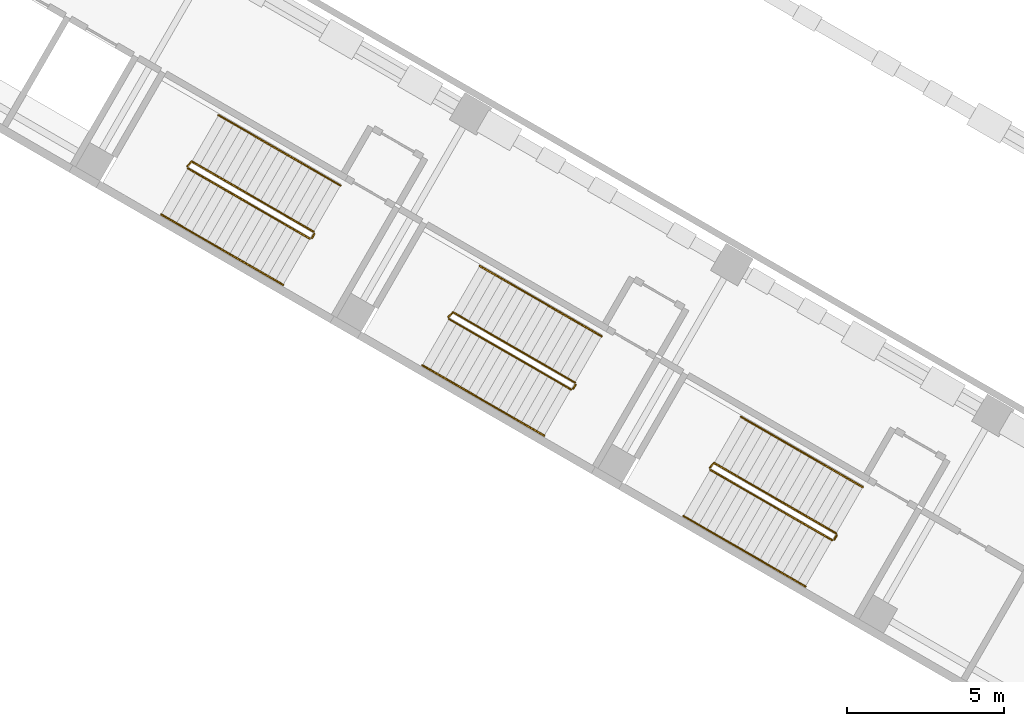
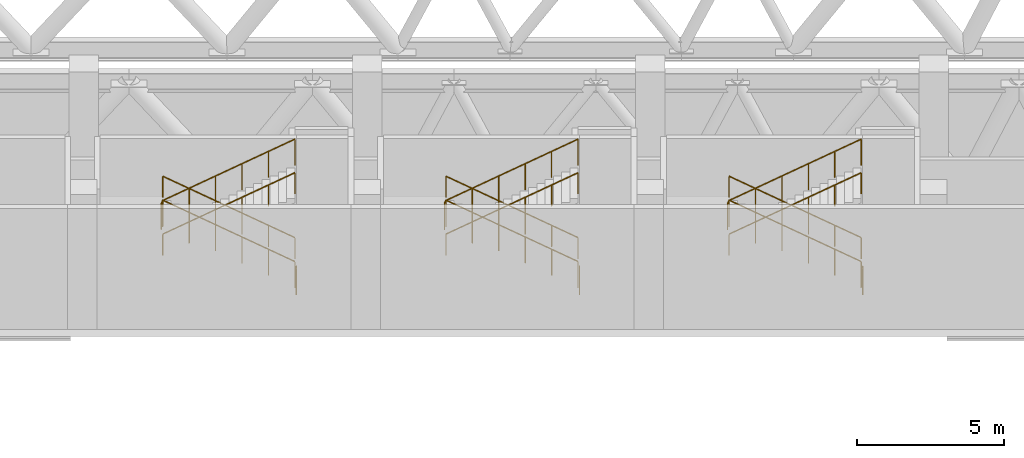
# One storey, part 32 of 37: 15 railings.
"""IFC4 building model written with IfcOpenShell, lengths in metres."""

from ifc_helpers import new_model, si_unit, direction, frame, origin, origin_2d, place, context, subcontext, project, spatial, circle, extrude, material, type_object, element, save


model = new_model("IFC4")

# Units and contexts
model_context = context("Model", 3, precision=1e-05, world=origin(), true_north=direction((0.0, 1.0)))
body_context = subcontext(model_context, "Body", "Model", "MODEL_VIEW")
ifc_project = project(units=[si_unit("LENGTHUNIT", "METRE"), si_unit("AREAUNIT", "SQUARE_METRE"), si_unit("VOLUMEUNIT", "CUBIC_METRE"), si_unit("PLANEANGLEUNIT", "RADIAN"), si_unit("MASSUNIT", "GRAM", prefix="KILO")], contexts=[model_context])

# Site, building, storey
site_placement = place(None, origin())
site = spatial("IfcSite", under=ifc_project, at=site_placement, CompositionType="ELEMENT")
building_placement = place(site_placement, origin())
building = spatial("IfcBuilding", under=site, at=building_placement, Name="Mestral Congress Tower", CompositionType="ELEMENT")
storey_placement = place(building_placement, frame((0.0, 0.0, 16.199951171875)))
storey = spatial("IfcBuildingStorey", under=building, at=storey_placement, Name="L03", CompositionType="ELEMENT", Elevation=16.199951171875)

# Railings
ifc_material_1 = material(Name="Steel balustrade", Category="steel")
railing_type_1 = type_object("IfcRailingType", Name="Podium stair guard 1100", PredefinedType="GUARDRAIL", material=ifc_material_1)
railing_1_placement = place(storey_placement, frame((-51.764892578125, -13.703369140625, 0.158935546875)))
element("IfcRailing", 1, at=railing_1_placement, inside=storey, type_object=railing_type_1, Name="L03 PS-W4 stair guard 1", PredefinedType="GUARDRAIL", context=body_context, shape_type="SweptSolid", body=[
    extrude(circle(Radius=0.02392578125, at=origin_2d()), frame((0.0, 0.0, 1.076171875), z_axis=(-0.753299937478, 0.434906048726, 0.493351733531), x_axis=(-0.499989762656, -0.866031314237, 0.0)), (0.0, 0.0, 1.0), 5.150634765625),
    extrude(circle(Radius=0.02392578125, at=origin_2d()), frame((-3.8798828125, 2.239990234375, 3.6171875), z_axis=(-0.695164929852, -0.718850276695, 0.0), x_axis=(0.718850276695, -0.695164929852, 0.0)), (0.0, 0.0, 1.0), 0.2060546875),
    extrude(circle(Radius=0.02099609375, at=origin_2d()), origin(), (0.0, 0.0, 1.0), 1.052001953125),
    extrude(circle(Radius=0.02099609375, at=origin_2d()), frame((-0.77587890625, 0.447998046875, 0.50830078125)), (0.0, 0.0, 1.0), 1.052001953125),
    extrude(circle(Radius=0.02099609375, at=origin_2d()), frame((-1.552001953125, 0.89599609375, 1.016357421875)), (0.0, 0.0, 1.0), 1.052001953125),
    extrude(circle(Radius=0.02099609375, at=origin_2d()), frame((-2.327880859375, 1.343994140625, 1.524658203125)), (0.0, 0.0, 1.0), 1.052001953125),
    extrude(circle(Radius=0.02099609375, at=origin_2d()), frame((-3.10400390625, 1.7919921875, 2.03271484375)), (0.0, 0.0, 1.0), 1.052001953125),
    extrude(circle(Radius=0.02099609375, at=origin_2d()), frame((-3.8798828125, 2.239990234375, 2.541015625)), (0.0, 0.0, 1.0), 1.052001953125),
    extrude(circle(Radius=0.02099609375, at=origin_2d()), frame((-4.023193359375, 2.091796875, 2.541015625)), (0.0, 0.0, 1.0), 1.052001953125),
])
railing_2_placement = place(storey_placement, frame((-55.769775390625, -11.679931640625, 2.85888671875)))
element("IfcRailing", 2, at=railing_2_placement, inside=storey, type_object=railing_type_1, Name="L03 PS-W4 stair guard 2", PredefinedType="GUARDRAIL", context=body_context, shape_type="SweptSolid", body=[
    extrude(circle(Radius=0.02392578125, at=origin_2d()), frame((0.0, 0.0, 1.076171875), z_axis=(0.753282320979, -0.434895878114, 0.493387596216), x_axis=(0.499989762656, 0.866031314237, 0.0)), (0.0, 0.0, 1.0), 5.150634765625),
    extrude(circle(Radius=0.02099609375, at=origin_2d()), origin(), (0.0, 0.0, 1.0), 1.052001953125),
    extrude(circle(Radius=0.02099609375, at=origin_2d()), frame((0.77587890625, -0.447998046875, 0.50830078125)), (0.0, 0.0, 1.0), 1.052001953125),
    extrude(circle(Radius=0.02099609375, at=origin_2d()), frame((1.552001953125, -0.89599609375, 1.0166015625)), (0.0, 0.0, 1.0), 1.052001953125),
    extrude(circle(Radius=0.02099609375, at=origin_2d()), frame((2.327880859375, -1.343994140625, 1.524658203125)), (0.0, 0.0, 1.0), 1.052001953125),
    extrude(circle(Radius=0.02099609375, at=origin_2d()), frame((3.10400390625, -1.7919921875, 2.032958984375)), (0.0, 0.0, 1.0), 1.052001953125),
    extrude(circle(Radius=0.02099609375, at=origin_2d()), frame((3.8798828125, -2.239990234375, 2.541259765625)), (0.0, 0.0, 1.0), 1.052001953125),
])
railing_3_placement = place(storey_placement, frame((-51.74658203125, -13.771728515625, 0.0)))
element("IfcRailing", 3, at=railing_3_placement, inside=storey, type_object=railing_type_1, Name="L03 PS-W4 stair guard 3", PredefinedType="GUARDRAIL", context=body_context, shape_type="SweptSolid", body=[
    extrude(circle(Radius=0.02392578125, at=origin_2d()), frame((0.0, 0.0, 1.076171875), z_axis=(-0.499816412211, -0.866131372301, 0.0), x_axis=(0.866131372301, -0.499816412211, 0.0)), (0.0, 0.0, 1.0), 0.14990234375),
    extrude(circle(Radius=0.02099609375, at=origin_2d()), origin(), (0.0, 0.0, 1.0), 1.052001953125),
    extrude(circle(Radius=0.02099609375, at=origin_2d()), frame((-0.074951171875, -0.1298828125, 0.0)), (0.0, 0.0, 1.0), 1.052001953125),
])
railing_4_placement = place(storey_placement, frame((-60.078857421875, -8.903564453125, 0.158935546875)))
element("IfcRailing", 4, at=railing_4_placement, inside=storey, type_object=railing_type_1, Name="L03 PS-W5 stair guard 1", PredefinedType="GUARDRAIL", context=body_context, shape_type="SweptSolid", body=[
    extrude(circle(Radius=0.02392578125, at=origin_2d()), frame((0.0, 0.0, 1.076171875), z_axis=(-0.753263903117, 0.43496001353, 0.49335917838), x_axis=(-0.500054230829, -0.865994091337, 0.0)), (0.0, 0.0, 1.0), 5.150390625),
    extrude(circle(Radius=0.02392578125, at=origin_2d()), frame((-3.879638671875, 2.240234375, 3.6171875), z_axis=(-0.694573396767, -0.719421848781, 0.0), x_axis=(0.719421848781, -0.694573396767, 0.0)), (0.0, 0.0, 1.0), 0.206298828125),
    extrude(circle(Radius=0.02099609375, at=origin_2d()), origin(), (0.0, 0.0, 1.0), 1.052001953125),
    extrude(circle(Radius=0.02099609375, at=origin_2d()), frame((-0.77587890625, 0.447998046875, 0.50830078125)), (0.0, 0.0, 1.0), 1.052001953125),
    extrude(circle(Radius=0.02099609375, at=origin_2d()), frame((-1.5517578125, 0.89599609375, 1.016357421875)), (0.0, 0.0, 1.0), 1.052001953125),
    extrude(circle(Radius=0.02099609375, at=origin_2d()), frame((-2.327880859375, 1.34423828125, 1.524658203125)), (0.0, 0.0, 1.0), 1.052001953125),
    extrude(circle(Radius=0.02099609375, at=origin_2d()), frame((-3.103759765625, 1.792236328125, 2.03271484375)), (0.0, 0.0, 1.0), 1.052001953125),
    extrude(circle(Radius=0.02099609375, at=origin_2d()), frame((-3.879638671875, 2.240234375, 2.541015625)), (0.0, 0.0, 1.0), 1.052001953125),
    extrude(circle(Radius=0.02099609375, at=origin_2d()), frame((-4.02294921875, 2.091796875, 2.541015625)), (0.0, 0.0, 1.0), 1.052001953125),
])
railing_5_placement = place(storey_placement, frame((-64.08349609375, -6.8798828125, 2.85888671875)))
element("IfcRailing", 5, at=railing_5_placement, inside=storey, type_object=railing_type_1, Name="L03 PS-W5 stair guard 2", PredefinedType="GUARDRAIL", context=body_context, shape_type="SweptSolid", body=[
    extrude(circle(Radius=0.02392578125, at=origin_2d()), frame((0.0, 0.0, 1.076171875), z_axis=(0.753261816223, -0.434911406699, 0.493405213332), x_axis=(0.500013360201, 0.866017690131, 0.0)), (0.0, 0.0, 1.0), 5.150390625),
    extrude(circle(Radius=0.02099609375, at=origin_2d()), origin(), (0.0, 0.0, 1.0), 1.052001953125),
    extrude(circle(Radius=0.02099609375, at=origin_2d()), frame((0.77587890625, -0.447998046875, 0.50830078125)), (0.0, 0.0, 1.0), 1.052001953125),
    extrude(circle(Radius=0.02099609375, at=origin_2d()), frame((1.5517578125, -0.89599609375, 1.0166015625)), (0.0, 0.0, 1.0), 1.052001953125),
    extrude(circle(Radius=0.02099609375, at=origin_2d()), frame((2.327880859375, -1.343994140625, 1.524658203125)), (0.0, 0.0, 1.0), 1.052001953125),
    extrude(circle(Radius=0.02099609375, at=origin_2d()), frame((3.103759765625, -1.7919921875, 2.032958984375)), (0.0, 0.0, 1.0), 1.052001953125),
    extrude(circle(Radius=0.02099609375, at=origin_2d()), frame((3.879638671875, -2.239990234375, 2.541259765625)), (0.0, 0.0, 1.0), 1.052001953125),
])
railing_6_placement = place(storey_placement, frame((-60.060546875, -8.9716796875, 0.0)))
element("IfcRailing", 6, at=railing_6_placement, inside=storey, type_object=railing_type_1, Name="L03 PS-W5 stair guard 3", PredefinedType="GUARDRAIL", context=body_context, shape_type="SweptSolid", body=[
    extrude(circle(Radius=0.02392578125, at=origin_2d()), frame((0.0, 0.0, 1.076171875), z_axis=(-0.499816412211, -0.866131372301, 0.0), x_axis=(0.866131372301, -0.499816412211, 0.0)), (0.0, 0.0, 1.0), 0.14990234375),
    extrude(circle(Radius=0.02099609375, at=origin_2d()), origin(), (0.0, 0.0, 1.0), 1.052001953125),
    extrude(circle(Radius=0.02099609375, at=origin_2d()), frame((-0.074951171875, -0.1298828125, 0.0)), (0.0, 0.0, 1.0), 1.052001953125),
])
railing_7_placement = place(storey_placement, frame((-68.392578125, -4.103515625, 0.158935546875)))
element("IfcRailing", 7, at=railing_7_placement, inside=storey, type_object=railing_type_1, Name="L03 PS-W6 stair guard 1", PredefinedType="GUARDRAIL", context=body_context, shape_type="SweptSolid", body=[
    extrude(circle(Radius=0.02392578125, at=origin_2d()), frame((0.0, 0.0, 1.076171875), z_axis=(-0.753299937478, 0.434906048726, 0.493351733531), x_axis=(-0.499989762656, -0.866031314237, 0.0)), (0.0, 0.0, 1.0), 5.150634765625),
    extrude(circle(Radius=0.02392578125, at=origin_2d()), frame((-3.8798828125, 2.239990234375, 3.6171875), z_axis=(-0.694552208452, -0.71944230466, 0.0), x_axis=(0.71944230466, -0.694552208452, 0.0)), (0.0, 0.0, 1.0), 0.2060546875),
    extrude(circle(Radius=0.02099609375, at=origin_2d()), origin(), (0.0, 0.0, 1.0), 1.052001953125),
    extrude(circle(Radius=0.02099609375, at=origin_2d()), frame((-0.77587890625, 0.447998046875, 0.50830078125)), (0.0, 0.0, 1.0), 1.052001953125),
    extrude(circle(Radius=0.02099609375, at=origin_2d()), frame((-1.552001953125, 0.89599609375, 1.016357421875)), (0.0, 0.0, 1.0), 1.052001953125),
    extrude(circle(Radius=0.02099609375, at=origin_2d()), frame((-2.327880859375, 1.343994140625, 1.524658203125)), (0.0, 0.0, 1.0), 1.052001953125),
    extrude(circle(Radius=0.02099609375, at=origin_2d()), frame((-3.10400390625, 1.7919921875, 2.03271484375)), (0.0, 0.0, 1.0), 1.052001953125),
    extrude(circle(Radius=0.02099609375, at=origin_2d()), frame((-3.8798828125, 2.239990234375, 2.541015625)), (0.0, 0.0, 1.0), 1.052001953125),
    extrude(circle(Radius=0.02099609375, at=origin_2d()), frame((-4.02294921875, 2.091796875, 2.541015625)), (0.0, 0.0, 1.0), 1.052001953125),
])
railing_8_placement = place(storey_placement, frame((-72.3974609375, -2.079833984375, 2.85888671875)))
element("IfcRailing", 8, at=railing_8_placement, inside=storey, type_object=railing_type_1, Name="L03 PS-W6 stair guard 2", PredefinedType="GUARDRAIL", context=body_context, shape_type="SweptSolid", body=[
    extrude(circle(Radius=0.02392578125, at=origin_2d()), frame((0.0, 0.0, 1.076171875), z_axis=(0.753266792371, -0.434934312031, 0.493377425232), x_axis=(0.500030632641, 0.866007717299, 0.0)), (0.0, 0.0, 1.0), 5.150634765625),
    extrude(circle(Radius=0.02099609375, at=origin_2d()), origin(), (0.0, 0.0, 1.0), 1.052001953125),
    extrude(circle(Radius=0.02099609375, at=origin_2d()), frame((0.77587890625, -0.447998046875, 0.50830078125)), (0.0, 0.0, 1.0), 1.052001953125),
    extrude(circle(Radius=0.02099609375, at=origin_2d()), frame((1.552001953125, -0.89599609375, 1.0166015625)), (0.0, 0.0, 1.0), 1.052001953125),
    extrude(circle(Radius=0.02099609375, at=origin_2d()), frame((2.327880859375, -1.34423828125, 1.524658203125)), (0.0, 0.0, 1.0), 1.052001953125),
    extrude(circle(Radius=0.02099609375, at=origin_2d()), frame((3.10400390625, -1.792236328125, 2.032958984375)), (0.0, 0.0, 1.0), 1.052001953125),
    extrude(circle(Radius=0.02099609375, at=origin_2d()), frame((3.8798828125, -2.240234375, 2.541259765625)), (0.0, 0.0, 1.0), 1.052001953125),
])
railing_9_placement = place(storey_placement, frame((-68.374267578125, -4.171630859375, 0.0)))
element("IfcRailing", 9, at=railing_9_placement, inside=storey, type_object=railing_type_1, Name="L03 PS-W6 stair guard 3", PredefinedType="GUARDRAIL", context=body_context, shape_type="SweptSolid", body=[
    extrude(circle(Radius=0.02392578125, at=origin_2d()), frame((0.0, 0.0, 1.076171875), z_axis=(-0.499112439033, -0.866537231285, 0.0), x_axis=(0.866537231285, -0.499112439033, 0.0)), (0.0, 0.0, 1.0), 0.150146484375),
    extrude(circle(Radius=0.02099609375, at=origin_2d()), origin(), (0.0, 0.0, 1.0), 1.052001953125),
    extrude(circle(Radius=0.02099609375, at=origin_2d()), frame((-0.074951171875, -0.130126953125, 0.0)), (0.0, 0.0, 1.0), 1.052001953125),
])
ifc_material_2 = material(Name="Steel handrail", Category="steel")
railing_type_2 = type_object("IfcRailingType", Name="Podium stair handrail 900", PredefinedType="HANDRAIL", material=ifc_material_2)
railing_10_placement = place(storey_placement, frame((-50.9150390625, -12.231201171875, 0.158935546875)))
element("IfcRailing", 10, at=railing_10_placement, inside=storey, type_object=railing_type_2, Name="L03 PS-W4 stair handrail 1", PredefinedType="HANDRAIL", context=body_context, shape_type="SweptSolid", body=[
    extrude(circle(Radius=0.02392578125, at=origin_2d()), frame((0.0, 0.0, 0.8759765625), z_axis=(-0.7532794335, 0.434921578401, 0.49336935019), x_axis=(-0.500013360201, -0.866017690131, 0.0)), (0.0, 0.0, 1.0), 5.150390625),
    extrude(circle(Radius=0.02099609375, at=origin_2d()), origin(), (0.0, 0.0, 1.0), 0.851806640625),
    extrude(circle(Radius=0.02099609375, at=origin_2d()), frame((-0.77587890625, 0.447998046875, 0.50830078125)), (0.0, 0.0, 1.0), 0.851806640625),
    extrude(circle(Radius=0.02099609375, at=origin_2d()), frame((-1.5517578125, 0.89599609375, 1.016357421875)), (0.0, 0.0, 1.0), 0.851806640625),
    extrude(circle(Radius=0.02099609375, at=origin_2d()), frame((-2.327880859375, 1.343994140625, 1.524658203125)), (0.0, 0.0, 1.0), 0.851806640625),
    extrude(circle(Radius=0.02099609375, at=origin_2d()), frame((-3.103759765625, 1.7919921875, 2.03271484375)), (0.0, 0.0, 1.0), 0.851806640625),
    extrude(circle(Radius=0.02099609375, at=origin_2d()), frame((-3.879638671875, 2.239990234375, 2.541015625)), (0.0, 0.0, 1.0), 0.851806640625),
])
railing_11_placement = place(storey_placement, frame((-56.61962890625, -13.152099609375, 2.85888671875)))
element("IfcRailing", 11, at=railing_11_placement, inside=storey, type_object=railing_type_2, Name="L03 PS-W4 stair handrail 2", PredefinedType="HANDRAIL", context=body_context, shape_type="SweptSolid", body=[
    extrude(circle(Radius=0.02392578125, at=origin_2d()), frame((0.0, 0.0, 0.8759765625), z_axis=(0.753261816223, -0.434911406699, 0.493405213332), x_axis=(0.500013360201, 0.866017690131, 0.0)), (0.0, 0.0, 1.0), 5.150390625),
    extrude(circle(Radius=0.02099609375, at=origin_2d()), origin(), (0.0, 0.0, 1.0), 0.851806640625),
    extrude(circle(Radius=0.02099609375, at=origin_2d()), frame((0.77587890625, -0.447998046875, 0.50830078125)), (0.0, 0.0, 1.0), 0.851806640625),
    extrude(circle(Radius=0.02099609375, at=origin_2d()), frame((1.5517578125, -0.89599609375, 1.0166015625)), (0.0, 0.0, 1.0), 0.851806640625),
    extrude(circle(Radius=0.02099609375, at=origin_2d()), frame((2.327880859375, -1.343994140625, 1.524658203125)), (0.0, 0.0, 1.0), 0.851806640625),
    extrude(circle(Radius=0.02099609375, at=origin_2d()), frame((3.103759765625, -1.7919921875, 2.032958984375)), (0.0, 0.0, 1.0), 0.851806640625),
    extrude(circle(Radius=0.02099609375, at=origin_2d()), frame((3.879638671875, -2.239990234375, 2.541259765625)), (0.0, 0.0, 1.0), 0.851806640625),
])
railing_12_placement = place(storey_placement, frame((-59.228759765625, -7.43115234375, 0.158935546875)))
element("IfcRailing", 12, at=railing_12_placement, inside=storey, type_object=railing_type_2, Name="L03 PS-W5 stair handrail 1", PredefinedType="HANDRAIL", context=body_context, shape_type="SweptSolid", body=[
    extrude(circle(Radius=0.02392578125, at=origin_2d()), frame((0.0, 0.0, 0.8759765625), z_axis=(-0.753299937478, 0.434906048726, 0.493351733531), x_axis=(-0.499989762656, -0.866031314237, 0.0)), (0.0, 0.0, 1.0), 5.150634765625),
    extrude(circle(Radius=0.02099609375, at=origin_2d()), origin(), (0.0, 0.0, 1.0), 0.851806640625),
    extrude(circle(Radius=0.02099609375, at=origin_2d()), frame((-0.77587890625, 0.447998046875, 0.50830078125)), (0.0, 0.0, 1.0), 0.851806640625),
    extrude(circle(Radius=0.02099609375, at=origin_2d()), frame((-1.552001953125, 0.89599609375, 1.016357421875)), (0.0, 0.0, 1.0), 0.851806640625),
    extrude(circle(Radius=0.02099609375, at=origin_2d()), frame((-2.327880859375, 1.343994140625, 1.524658203125)), (0.0, 0.0, 1.0), 0.851806640625),
    extrude(circle(Radius=0.02099609375, at=origin_2d()), frame((-3.10400390625, 1.7919921875, 2.03271484375)), (0.0, 0.0, 1.0), 0.851806640625),
    extrude(circle(Radius=0.02099609375, at=origin_2d()), frame((-3.8798828125, 2.239990234375, 2.541015625)), (0.0, 0.0, 1.0), 0.851806640625),
])
railing_13_placement = place(storey_placement, frame((-64.93359375, -8.352294921875, 2.85888671875)))
element("IfcRailing", 13, at=railing_13_placement, inside=storey, type_object=railing_type_2, Name="L03 PS-W5 stair handrail 2", PredefinedType="HANDRAIL", context=body_context, shape_type="SweptSolid", body=[
    extrude(circle(Radius=0.02392578125, at=origin_2d()), frame((0.0, 0.0, 0.8759765625), z_axis=(0.753282320979, -0.434895878114, 0.493387596216), x_axis=(0.499989762656, 0.866031314237, 0.0)), (0.0, 0.0, 1.0), 5.150634765625),
    extrude(circle(Radius=0.02099609375, at=origin_2d()), origin(), (0.0, 0.0, 1.0), 0.851806640625),
    extrude(circle(Radius=0.02099609375, at=origin_2d()), frame((0.77587890625, -0.447998046875, 0.50830078125)), (0.0, 0.0, 1.0), 0.851806640625),
    extrude(circle(Radius=0.02099609375, at=origin_2d()), frame((1.552001953125, -0.89599609375, 1.0166015625)), (0.0, 0.0, 1.0), 0.851806640625),
    extrude(circle(Radius=0.02099609375, at=origin_2d()), frame((2.327880859375, -1.343994140625, 1.524658203125)), (0.0, 0.0, 1.0), 0.851806640625),
    extrude(circle(Radius=0.02099609375, at=origin_2d()), frame((3.10400390625, -1.7919921875, 2.032958984375)), (0.0, 0.0, 1.0), 0.851806640625),
    extrude(circle(Radius=0.02099609375, at=origin_2d()), frame((3.8798828125, -2.239990234375, 2.541259765625)), (0.0, 0.0, 1.0), 0.851806640625),
])
railing_14_placement = place(storey_placement, frame((-67.54248046875, -2.631103515625, 0.158935546875)))
element("IfcRailing", 14, at=railing_14_placement, inside=storey, type_object=railing_type_2, Name="L03 PS-W6 stair handrail 1", PredefinedType="HANDRAIL", context=body_context, shape_type="SweptSolid", body=[
    extrude(circle(Radius=0.02392578125, at=origin_2d()), frame((0.0, 0.0, 0.8759765625), z_axis=(-0.753299937478, 0.434906048726, 0.493351733531), x_axis=(-0.499989762656, -0.866031314237, 0.0)), (0.0, 0.0, 1.0), 5.150634765625),
    extrude(circle(Radius=0.02099609375, at=origin_2d()), origin(), (0.0, 0.0, 1.0), 0.851806640625),
    extrude(circle(Radius=0.02099609375, at=origin_2d()), frame((-0.77587890625, 0.447998046875, 0.50830078125)), (0.0, 0.0, 1.0), 0.851806640625),
    extrude(circle(Radius=0.02099609375, at=origin_2d()), frame((-1.552001953125, 0.89599609375, 1.016357421875)), (0.0, 0.0, 1.0), 0.851806640625),
    extrude(circle(Radius=0.02099609375, at=origin_2d()), frame((-2.327880859375, 1.343994140625, 1.524658203125)), (0.0, 0.0, 1.0), 0.851806640625),
    extrude(circle(Radius=0.02099609375, at=origin_2d()), frame((-3.10400390625, 1.7919921875, 2.03271484375)), (0.0, 0.0, 1.0), 0.851806640625),
    extrude(circle(Radius=0.02099609375, at=origin_2d()), frame((-3.8798828125, 2.239990234375, 2.541015625)), (0.0, 0.0, 1.0), 0.851806640625),
])
railing_15_placement = place(storey_placement, frame((-73.247314453125, -3.55224609375, 2.85888671875)))
element("IfcRailing", 15, at=railing_15_placement, inside=storey, type_object=railing_type_2, Name="L03 PS-W6 stair handrail 2", PredefinedType="HANDRAIL", context=body_context, shape_type="SweptSolid", body=[
    extrude(circle(Radius=0.02392578125, at=origin_2d()), frame((0.0, 0.0, 0.8759765625), z_axis=(0.753282320979, -0.434895878114, 0.493387596216), x_axis=(0.499989762656, 0.866031314237, 0.0)), (0.0, 0.0, 1.0), 5.150634765625),
    extrude(circle(Radius=0.02099609375, at=origin_2d()), origin(), (0.0, 0.0, 1.0), 0.851806640625),
    extrude(circle(Radius=0.02099609375, at=origin_2d()), frame((0.77587890625, -0.447998046875, 0.50830078125)), (0.0, 0.0, 1.0), 0.851806640625),
    extrude(circle(Radius=0.02099609375, at=origin_2d()), frame((1.552001953125, -0.89599609375, 1.0166015625)), (0.0, 0.0, 1.0), 0.851806640625),
    extrude(circle(Radius=0.02099609375, at=origin_2d()), frame((2.327880859375, -1.343994140625, 1.524658203125)), (0.0, 0.0, 1.0), 0.851806640625),
    extrude(circle(Radius=0.02099609375, at=origin_2d()), frame((3.10400390625, -1.7919921875, 2.032958984375)), (0.0, 0.0, 1.0), 0.851806640625),
    extrude(circle(Radius=0.02099609375, at=origin_2d()), frame((3.8798828125, -2.239990234375, 2.541259765625)), (0.0, 0.0, 1.0), 0.851806640625),
])

save(model, "model.ifc")
